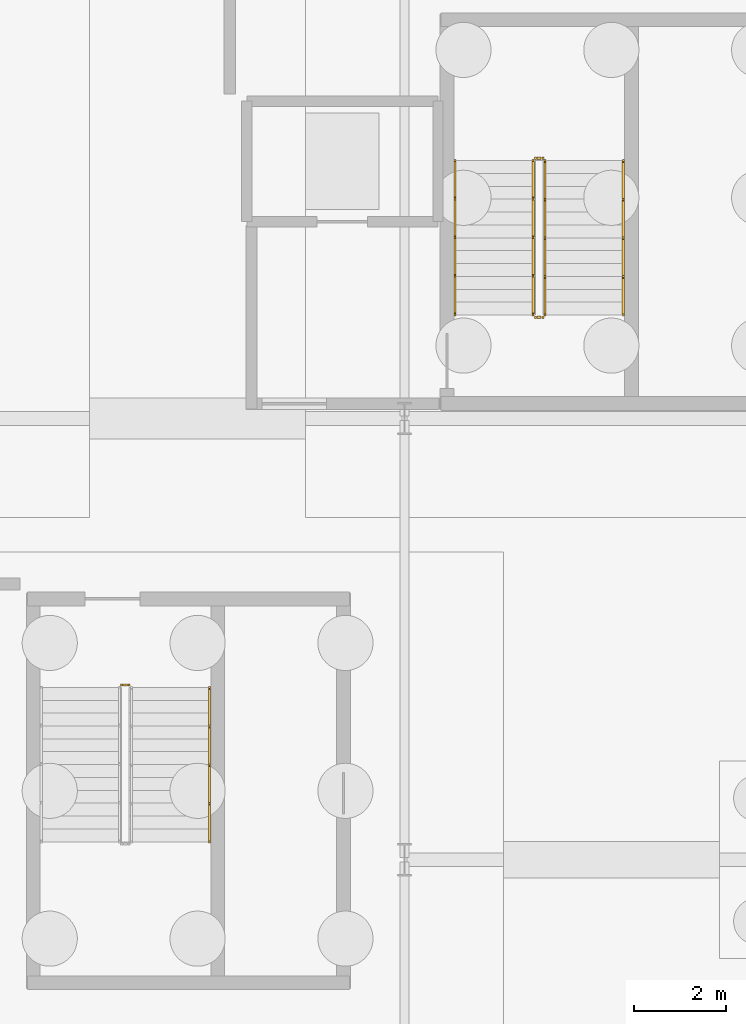
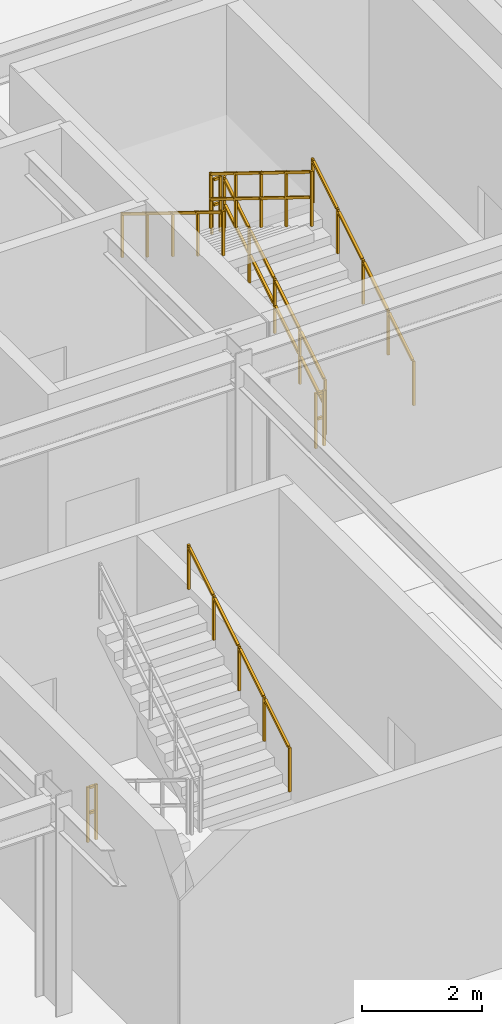
# One storey, part 58 of 59: 8 railings.
"""IFC4 building model written with IfcOpenShell, lengths in metres."""

from ifc_helpers import new_model, si_unit, direction, frame, origin, origin_2d, place, context, subcontext, project, spatial, rectangle, extrude, material, type_object, element, save


model = new_model("IFC4")

# Units and contexts
model_context = context("Model", 3, precision=1e-05, world=origin(), true_north=direction((0.0, 1.0)))
body_context = subcontext(model_context, "Body", "Model", "MODEL_VIEW")
ifc_project = project(units=[si_unit("LENGTHUNIT", "METRE"), si_unit("AREAUNIT", "SQUARE_METRE"), si_unit("VOLUMEUNIT", "CUBIC_METRE"), si_unit("PLANEANGLEUNIT", "RADIAN"), si_unit("MASSUNIT", "GRAM", prefix="KILO")], contexts=[model_context])

# Site, building, storey
site_placement = place(None, origin())
site = spatial("IfcSite", under=ifc_project, at=site_placement, CompositionType="ELEMENT")
building_placement = place(site_placement, origin())
building = spatial("IfcBuilding", under=site, at=building_placement, Name="Myrtia Square Station", CompositionType="ELEMENT")
storey_placement = place(building_placement, frame((0.0, 0.0, -4.5)))
storey = spatial("IfcBuildingStorey", under=building, at=storey_placement, Name="B01", CompositionType="ELEMENT", Elevation=-4.5)

# Railings
ifc_material_1 = material(Name="Dark bronze anodised aluminium", Category="aluminium")
railing_type_1 = type_object("IfcRailingType", Name="RL-HANDRAIL-900", PredefinedType="HANDRAIL", material=ifc_material_1)
railing_1_placement = place(storey_placement, frame((175.760009765625, 107.85009765625, 0.173095703125)))
element("IfcRailing", 1, at=railing_1_placement, inside=storey, type_object=railing_type_1, Name="B01 ST08 stair handrail 1", PredefinedType="HANDRAIL", context=body_context, shape_type="SweptSolid", body=[
    extrude(rectangle(XDim=0.048095703125, YDim=0.048095703125, at=origin_2d()), frame((0.0, 0.029541015625, 0.89404296875), z_axis=(0.0, 0.850606129759, 0.525803396734), x_axis=(-1.0, 0.0, 0.0)), (0.0, 0.0, 1.0), 0.918212890625),
    extrude(rectangle(XDim=0.048095703125, YDim=0.048095703125, at=origin_2d()), frame((0.0, 0.869384765625, 1.413330078125), z_axis=(0.0, 0.850606129759, 0.525803396734), x_axis=(-1.0, 0.0, 0.0)), (0.0, 0.0, 1.0), 0.918212890625),
    extrude(rectangle(XDim=0.048095703125, YDim=0.048095703125, at=origin_2d()), frame((0.0, 1.70947265625, 1.9326171875), z_axis=(0.0, 0.850606129759, 0.525803396734), x_axis=(-1.0, 0.0, 0.0)), (0.0, 0.0, 1.0), 0.918212890625),
    extrude(rectangle(XDim=0.048095703125, YDim=0.048095703125, at=origin_2d()), frame((0.0, 2.54931640625, 2.45166015625), z_axis=(0.0, 0.850606129759, 0.525803396734), x_axis=(-1.0, 0.0, 0.0)), (0.0, 0.0, 1.0), 0.918212890625),
    extrude(rectangle(XDim=0.0439453125, YDim=0.0439453125, at=origin_2d()), origin(), (0.0, 0.0, 1.0), 0.89990234375),
    extrude(rectangle(XDim=0.0439453125, YDim=0.0439453125, at=origin_2d()), frame((0.0, 0.83984375, 0.519287109375)), (0.0, 0.0, 1.0), 0.89990234375),
    extrude(rectangle(XDim=0.0439453125, YDim=0.0439453125, at=origin_2d()), frame((0.0, 1.679931640625, 1.03857421875)), (0.0, 0.0, 1.0), 0.89990234375),
    extrude(rectangle(XDim=0.0439453125, YDim=0.0439453125, at=origin_2d()), frame((0.0, 2.52001953125, 1.5576171875)), (0.0, 0.0, 1.0), 0.89990234375),
    extrude(rectangle(XDim=0.0439453125, YDim=0.0439453125, at=origin_2d()), frame((0.0, 3.35986328125, 2.076904296875)), (0.0, 0.0, 1.0), 0.89990234375),
])
railing_2_placement = place(storey_placement, frame((172.10009765625, 111.2099609375, 2.423095703125)))
element("IfcRailing", 2, at=railing_2_placement, inside=storey, type_object=railing_type_1, Name="B01 ST08 stair handrail 2", PredefinedType="HANDRAIL", context=body_context, shape_type="SweptSolid", body=[
    extrude(rectangle(XDim=0.048095703125, YDim=0.048095703125, at=origin_2d()), frame((0.0, -0.029541015625, 0.89404296875), z_axis=(0.0, -0.850606129759, 0.525803396734), x_axis=(1.0, 0.0, 0.0)), (0.0, 0.0, 1.0), 0.918212890625),
    extrude(rectangle(XDim=0.048095703125, YDim=0.048095703125, at=origin_2d()), frame((0.0, -0.869384765625, 1.413330078125), z_axis=(0.0, -0.850606129759, 0.525803396734), x_axis=(1.0, 0.0, 0.0)), (0.0, 0.0, 1.0), 0.918212890625),
    extrude(rectangle(XDim=0.048095703125, YDim=0.048095703125, at=origin_2d()), frame((0.0, -1.70947265625, 1.9326171875), z_axis=(0.0, -0.850606129759, 0.525803396734), x_axis=(1.0, 0.0, 0.0)), (0.0, 0.0, 1.0), 0.918212890625),
    extrude(rectangle(XDim=0.048095703125, YDim=0.048095703125, at=origin_2d()), frame((0.0, -2.54931640625, 2.45166015625), z_axis=(0.0, -0.850606129759, 0.525803396734), x_axis=(1.0, 0.0, 0.0)), (0.0, 0.0, 1.0), 0.918212890625),
    extrude(rectangle(XDim=0.0439453125, YDim=0.0439453125, at=origin_2d()), origin(), (0.0, 0.0, 1.0), 0.89990234375),
    extrude(rectangle(XDim=0.0439453125, YDim=0.0439453125, at=origin_2d()), frame((0.0, -0.83984375, 0.519287109375)), (0.0, 0.0, 1.0), 0.89990234375),
    extrude(rectangle(XDim=0.0439453125, YDim=0.0439453125, at=origin_2d()), frame((0.0, -1.679931640625, 1.03857421875)), (0.0, 0.0, 1.0), 0.89990234375),
    extrude(rectangle(XDim=0.0439453125, YDim=0.0439453125, at=origin_2d()), frame((0.0, -2.52001953125, 1.5576171875)), (0.0, 0.0, 1.0), 0.89990234375),
    extrude(rectangle(XDim=0.0439453125, YDim=0.0439453125, at=origin_2d()), frame((0.0, -3.35986328125, 2.076904296875)), (0.0, 0.0, 1.0), 0.89990234375),
])
railing_3_placement = place(storey_placement, frame((166.760009765625, 96.389892578125, 2.423095703125)))
element("IfcRailing", 3, at=railing_3_placement, inside=storey, type_object=railing_type_1, Name="B01 ST16 stair handrail 2", PredefinedType="HANDRAIL", context=body_context, shape_type="SweptSolid", body=[
    extrude(rectangle(XDim=0.048095703125, YDim=0.048095703125, at=origin_2d()), frame((0.0, 0.029541015625, 0.89404296875), z_axis=(0.0, 0.850623216509, 0.525775754039), x_axis=(-1.0, 0.0, 0.0)), (0.0, 0.0, 1.0), 0.918212890625),
    extrude(rectangle(XDim=0.048095703125, YDim=0.048095703125, at=origin_2d()), frame((0.0, 0.869384765625, 1.413330078125), z_axis=(0.0, 0.850623216509, 0.525775754039), x_axis=(-1.0, 0.0, 0.0)), (0.0, 0.0, 1.0), 0.918212890625),
    extrude(rectangle(XDim=0.048095703125, YDim=0.048095703125, at=origin_2d()), frame((0.0, 1.70947265625, 1.9326171875), z_axis=(0.0, 0.850623216509, 0.525775754039), x_axis=(-1.0, 0.0, 0.0)), (0.0, 0.0, 1.0), 0.918212890625),
    extrude(rectangle(XDim=0.048095703125, YDim=0.048095703125, at=origin_2d()), frame((0.0, 2.549560546875, 2.45166015625), z_axis=(0.0, 0.850623216509, 0.525775754039), x_axis=(-1.0, 0.0, 0.0)), (0.0, 0.0, 1.0), 0.918212890625),
    extrude(rectangle(XDim=0.0439453125, YDim=0.0439453125, at=origin_2d()), origin(), (0.0, 0.0, 1.0), 0.89990234375),
    extrude(rectangle(XDim=0.0439453125, YDim=0.0439453125, at=origin_2d()), frame((0.0, 0.840087890625, 0.519287109375)), (0.0, 0.0, 1.0), 0.89990234375),
    extrude(rectangle(XDim=0.0439453125, YDim=0.0439453125, at=origin_2d()), frame((0.0, 1.68017578125, 1.03857421875)), (0.0, 0.0, 1.0), 0.89990234375),
    extrude(rectangle(XDim=0.0439453125, YDim=0.0439453125, at=origin_2d()), frame((0.0, 2.52001953125, 1.5576171875)), (0.0, 0.0, 1.0), 0.89990234375),
    extrude(rectangle(XDim=0.0439453125, YDim=0.0439453125, at=origin_2d()), frame((0.0, 3.360107421875, 2.076904296875)), (0.0, 0.0, 1.0), 0.89990234375),
])
ifc_material_2 = material(Name="Wrought iron", Category="steel")
railing_type_2 = type_object("IfcRailingType", Name="RL-INT-GUARD-1100", PredefinedType="BALUSTRADE", material=ifc_material_2)
railing_4_placement = place(storey_placement, frame((174.06005859375, 107.85009765625, 0.173095703125)))
element("IfcRailing", 4, at=railing_4_placement, inside=storey, type_object=railing_type_2, Name="B01 ST08 stair guard 1", PredefinedType="BALUSTRADE", context=body_context, shape_type="SweptSolid", body=[
    extrude(rectangle(XDim=0.048095703125, YDim=0.048095703125, at=origin_2d()), frame((0.0, 0.029541015625, 1.1142578125), z_axis=(0.0, 0.850606129759, 0.525803396734), x_axis=(-1.0, 0.0, 0.0)), (0.0, 0.0, 1.0), 0.918212890625),
    extrude(rectangle(XDim=0.048095703125, YDim=0.048095703125, at=origin_2d()), frame((0.0, 0.029541015625, 0.6005859375), z_axis=(0.0, 0.850606129759, 0.525803396734), x_axis=(-1.0, 0.0, 0.0)), (0.0, 0.0, 1.0), 0.918212890625),
    extrude(rectangle(XDim=0.048095703125, YDim=0.048095703125, at=origin_2d()), frame((0.0, 0.869384765625, 1.633544921875), z_axis=(0.0, 0.850606129759, 0.525803396734), x_axis=(-1.0, 0.0, 0.0)), (0.0, 0.0, 1.0), 0.918212890625),
    extrude(rectangle(XDim=0.048095703125, YDim=0.048095703125, at=origin_2d()), frame((0.0, 0.869384765625, 1.119873046875), z_axis=(0.0, 0.850606129759, 0.525803396734), x_axis=(-1.0, 0.0, 0.0)), (0.0, 0.0, 1.0), 0.918212890625),
    extrude(rectangle(XDim=0.048095703125, YDim=0.048095703125, at=origin_2d()), frame((0.0, 1.70947265625, 2.15283203125), z_axis=(0.0, 0.850606129759, 0.525803396734), x_axis=(-1.0, 0.0, 0.0)), (0.0, 0.0, 1.0), 0.918212890625),
    extrude(rectangle(XDim=0.048095703125, YDim=0.048095703125, at=origin_2d()), frame((0.0, 1.70947265625, 1.63916015625), z_axis=(0.0, 0.850606129759, 0.525803396734), x_axis=(-1.0, 0.0, 0.0)), (0.0, 0.0, 1.0), 0.918212890625),
    extrude(rectangle(XDim=0.048095703125, YDim=0.048095703125, at=origin_2d()), frame((0.0, 2.54931640625, 2.671875), z_axis=(0.0, 0.850606129759, 0.525803396734), x_axis=(-1.0, 0.0, 0.0)), (0.0, 0.0, 1.0), 0.918212890625),
    extrude(rectangle(XDim=0.048095703125, YDim=0.048095703125, at=origin_2d()), frame((0.0, 2.54931640625, 2.158447265625), z_axis=(0.0, 0.850606129759, 0.525803396734), x_axis=(-1.0, 0.0, 0.0)), (0.0, 0.0, 1.0), 0.918212890625),
    extrude(rectangle(XDim=0.0439453125, YDim=0.0439453125, at=origin_2d()), origin(), (0.0, 0.0, 1.0), 1.1201171875),
    extrude(rectangle(XDim=0.0439453125, YDim=0.0439453125, at=origin_2d()), frame((0.0, 0.83984375, 0.519287109375)), (0.0, 0.0, 1.0), 1.1201171875),
    extrude(rectangle(XDim=0.0439453125, YDim=0.0439453125, at=origin_2d()), frame((0.0, 1.679931640625, 1.03857421875)), (0.0, 0.0, 1.0), 1.1201171875),
    extrude(rectangle(XDim=0.0439453125, YDim=0.0439453125, at=origin_2d()), frame((0.0, 2.52001953125, 1.5576171875)), (0.0, 0.0, 1.0), 1.1201171875),
    extrude(rectangle(XDim=0.0439453125, YDim=0.0439453125, at=origin_2d()), frame((0.0, 3.35986328125, 2.076904296875)), (0.0, 0.0, 1.0), 1.1201171875),
])
railing_5_placement = place(storey_placement, frame((174.010009765625, 111.260009765625, 2.25)))
element("IfcRailing", 5, at=railing_5_placement, inside=storey, type_object=railing_type_2, Name="B01 ST08 stair guard 2", PredefinedType="BALUSTRADE", context=body_context, shape_type="SweptSolid", body=[
    extrude(rectangle(XDim=0.048095703125, YDim=0.048095703125, at=origin_2d()), frame((-0.03466796875, 0.0, 1.09619140625), z_axis=(-1.0, 0.0, 0.0), x_axis=(0.0, -1.0, 0.0)), (0.0, 0.0, 1.0), 0.090576171875),
    extrude(rectangle(XDim=0.048095703125, YDim=0.048095703125, at=origin_2d()), frame((-0.03466796875, 0.0, 0.58251953125), z_axis=(-1.0, 0.0, 0.0), x_axis=(0.0, -1.0, 0.0)), (0.0, 0.0, 1.0), 0.090576171875),
    extrude(rectangle(XDim=0.0439453125, YDim=0.0439453125, at=origin_2d()), origin(), (0.0, 0.0, 1.0), 1.1201171875),
    extrude(rectangle(XDim=0.0439453125, YDim=0.0439453125, at=origin_2d()), frame((-0.159912109375, 0.0, 0.0)), (0.0, 0.0, 1.0), 1.1201171875),
])
railing_6_placement = place(storey_placement, frame((173.800048828125, 111.2099609375, 2.423095703125)))
element("IfcRailing", 6, at=railing_6_placement, inside=storey, type_object=railing_type_2, Name="B01 ST08 stair guard 3", PredefinedType="BALUSTRADE", context=body_context, shape_type="SweptSolid", body=[
    extrude(rectangle(XDim=0.048095703125, YDim=0.048095703125, at=origin_2d()), frame((0.0, -0.029541015625, 1.1142578125), z_axis=(0.0, -0.850606129759, 0.525803396734), x_axis=(1.0, 0.0, 0.0)), (0.0, 0.0, 1.0), 0.918212890625),
    extrude(rectangle(XDim=0.048095703125, YDim=0.048095703125, at=origin_2d()), frame((0.0, -0.029541015625, 0.6005859375), z_axis=(0.0, -0.850606129759, 0.525803396734), x_axis=(1.0, 0.0, 0.0)), (0.0, 0.0, 1.0), 0.918212890625),
    extrude(rectangle(XDim=0.048095703125, YDim=0.048095703125, at=origin_2d()), frame((0.0, -0.869384765625, 1.633544921875), z_axis=(0.0, -0.850606129759, 0.525803396734), x_axis=(1.0, 0.0, 0.0)), (0.0, 0.0, 1.0), 0.918212890625),
    extrude(rectangle(XDim=0.048095703125, YDim=0.048095703125, at=origin_2d()), frame((0.0, -0.869384765625, 1.119873046875), z_axis=(0.0, -0.850606129759, 0.525803396734), x_axis=(1.0, 0.0, 0.0)), (0.0, 0.0, 1.0), 0.918212890625),
    extrude(rectangle(XDim=0.048095703125, YDim=0.048095703125, at=origin_2d()), frame((0.0, -1.70947265625, 2.15283203125), z_axis=(0.0, -0.850606129759, 0.525803396734), x_axis=(1.0, 0.0, 0.0)), (0.0, 0.0, 1.0), 0.918212890625),
    extrude(rectangle(XDim=0.048095703125, YDim=0.048095703125, at=origin_2d()), frame((0.0, -1.70947265625, 1.63916015625), z_axis=(0.0, -0.850606129759, 0.525803396734), x_axis=(1.0, 0.0, 0.0)), (0.0, 0.0, 1.0), 0.918212890625),
    extrude(rectangle(XDim=0.048095703125, YDim=0.048095703125, at=origin_2d()), frame((0.0, -2.54931640625, 2.671875), z_axis=(0.0, -0.850606129759, 0.525803396734), x_axis=(1.0, 0.0, 0.0)), (0.0, 0.0, 1.0), 0.918212890625),
    extrude(rectangle(XDim=0.048095703125, YDim=0.048095703125, at=origin_2d()), frame((0.0, -2.54931640625, 2.158447265625), z_axis=(0.0, -0.850606129759, 0.525803396734), x_axis=(1.0, 0.0, 0.0)), (0.0, 0.0, 1.0), 0.918212890625),
    extrude(rectangle(XDim=0.0439453125, YDim=0.0439453125, at=origin_2d()), origin(), (0.0, 0.0, 1.0), 1.1201171875),
    extrude(rectangle(XDim=0.0439453125, YDim=0.0439453125, at=origin_2d()), frame((0.0, -0.83984375, 0.519287109375)), (0.0, 0.0, 1.0), 1.1201171875),
    extrude(rectangle(XDim=0.0439453125, YDim=0.0439453125, at=origin_2d()), frame((0.0, -1.679931640625, 1.03857421875)), (0.0, 0.0, 1.0), 1.1201171875),
    extrude(rectangle(XDim=0.0439453125, YDim=0.0439453125, at=origin_2d()), frame((0.0, -2.52001953125, 1.5576171875)), (0.0, 0.0, 1.0), 1.1201171875),
    extrude(rectangle(XDim=0.0439453125, YDim=0.0439453125, at=origin_2d()), frame((0.0, -3.35986328125, 2.076904296875)), (0.0, 0.0, 1.0), 1.1201171875),
])
railing_7_placement = place(storey_placement, frame((174.010009765625, 107.800048828125, 0.0)))
element("IfcRailing", 7, at=railing_7_placement, inside=storey, type_object=railing_type_2, Name="B01 ST08 stair guard 4", PredefinedType="BALUSTRADE", context=body_context, shape_type="SweptSolid", body=[
    extrude(rectangle(XDim=0.048095703125, YDim=0.048095703125, at=origin_2d()), frame((-0.03466796875, 0.0, 1.09619140625), z_axis=(-1.0, 0.0, 0.0), x_axis=(0.0, -1.0, 0.0)), (0.0, 0.0, 1.0), 0.090576171875),
    extrude(rectangle(XDim=0.048095703125, YDim=0.048095703125, at=origin_2d()), frame((-0.03466796875, 0.0, 0.58251953125), z_axis=(-1.0, 0.0, 0.0), x_axis=(0.0, -1.0, 0.0)), (0.0, 0.0, 1.0), 0.090576171875),
    extrude(rectangle(XDim=0.0439453125, YDim=0.0439453125, at=origin_2d()), origin(), (0.0, 0.0, 1.0), 1.1201171875),
    extrude(rectangle(XDim=0.0439453125, YDim=0.0439453125, at=origin_2d()), frame((-0.159912109375, 0.0, 0.0)), (0.0, 0.0, 1.0), 1.1201171875),
])
railing_8_placement = place(storey_placement, frame((164.85009765625, 99.800048828125, 0.0)))
element("IfcRailing", 8, at=railing_8_placement, inside=storey, type_object=railing_type_2, Name="B01 ST16 stair guard 4", PredefinedType="BALUSTRADE", context=body_context, shape_type="SweptSolid", body=[
    extrude(rectangle(XDim=0.048095703125, YDim=0.048095703125, at=origin_2d()), frame((0.03466796875, 0.0, 1.09619140625), z_axis=(1.0, 0.0, 0.0), x_axis=(0.0, 1.0, 0.0)), (0.0, 0.0, 1.0), 0.090576171875),
    extrude(rectangle(XDim=0.048095703125, YDim=0.048095703125, at=origin_2d()), frame((0.03466796875, 0.0, 0.58251953125), z_axis=(1.0, 0.0, 0.0), x_axis=(0.0, 1.0, 0.0)), (0.0, 0.0, 1.0), 0.090576171875),
    extrude(rectangle(XDim=0.0439453125, YDim=0.0439453125, at=origin_2d()), origin(), (0.0, 0.0, 1.0), 1.1201171875),
    extrude(rectangle(XDim=0.0439453125, YDim=0.0439453125, at=origin_2d()), frame((0.159912109375, 0.0, 0.0)), (0.0, 0.0, 1.0), 1.1201171875),
])

save(model, "model.ifc")
